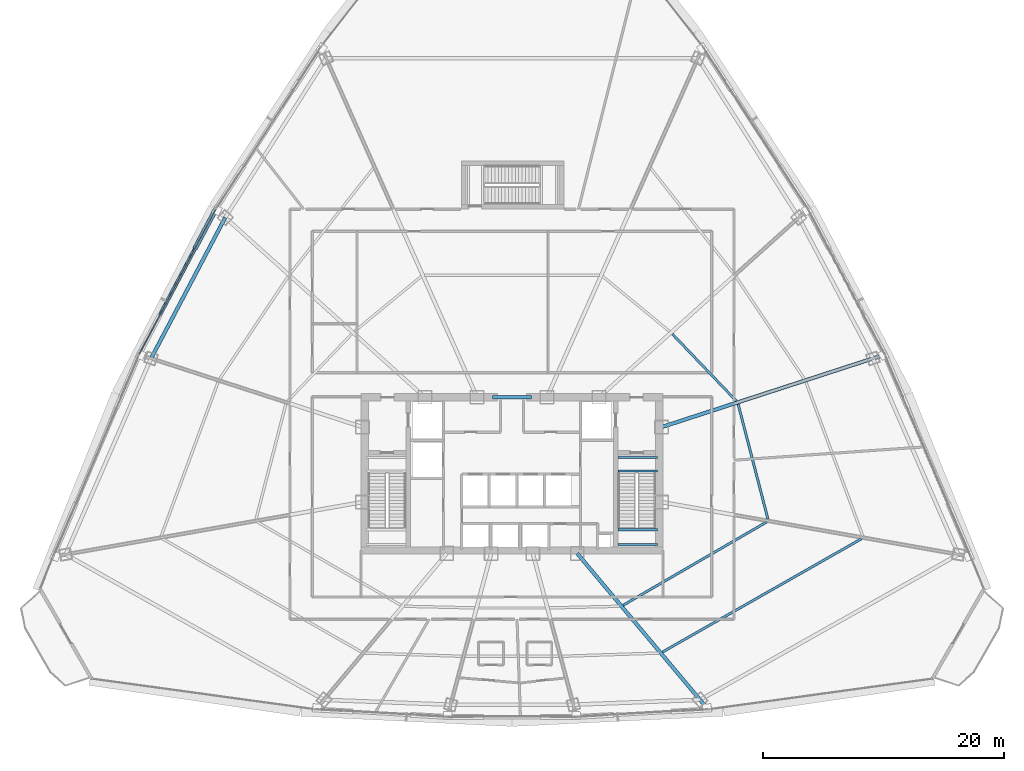
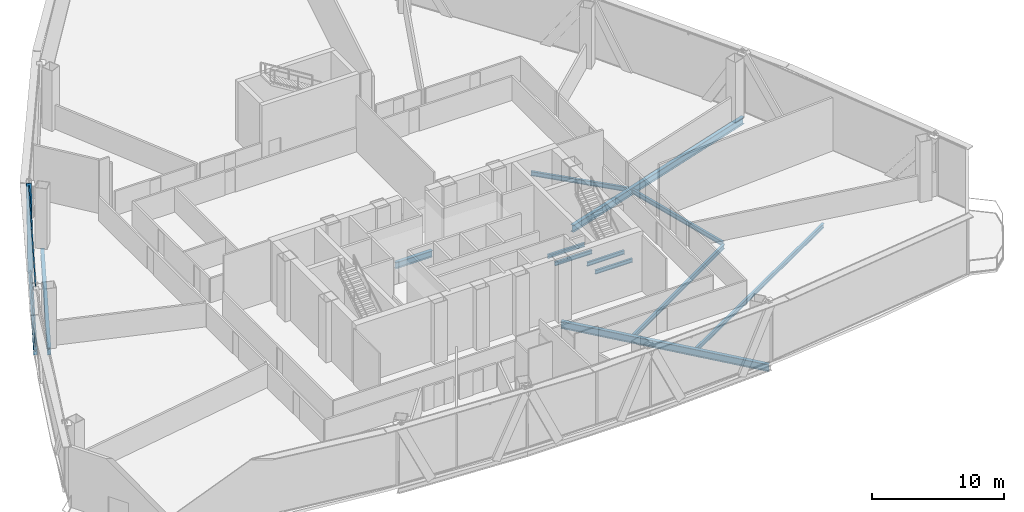
# One storey, part 15 of 40: 13 beams, 3 members, 1 element without a shape of its own.
"""IFC4 building model written with IfcOpenShell, lengths in metres."""

from ifc_helpers import new_model, si_unit, direction, frame, origin, origin_2d, place, context, subcontext, project, spatial, hollow_rectangle, i_section, extrude, source, transform, mapped, material, layer, layer_set, material_profile, profile_set, type_object, element, aggregate, save


model = new_model("IFC4")

# Units and contexts
model_context = context("Model", 3, precision=1e-05, world=origin(), true_north=direction((0.0, 1.0)))
body_context = subcontext(model_context, "Body", "Model", "MODEL_VIEW")
ifc_project = project(units=[si_unit("LENGTHUNIT", "METRE"), si_unit("AREAUNIT", "SQUARE_METRE"), si_unit("VOLUMEUNIT", "CUBIC_METRE"), si_unit("PLANEANGLEUNIT", "RADIAN"), si_unit("MASSUNIT", "GRAM", prefix="KILO"), si_unit("THERMODYNAMICTEMPERATUREUNIT", "KELVIN"), si_unit("POWERUNIT", "WATT")], contexts=[model_context])

# Site, building, storey
site_placement = place(None, origin())
site = spatial("IfcSite", under=ifc_project, at=site_placement, CompositionType="ELEMENT")
building_placement = place(site_placement, origin())
building = spatial("IfcBuilding", under=site, at=building_placement, Name="Yunzhuo Pagoda Commons", CompositionType="ELEMENT")
storey_placement = place(building_placement, frame((0.0, 0.0, 170.31005859375)))
storey = spatial("IfcBuildingStorey", under=building, at=storey_placement, Name="L43", CompositionType="ELEMENT", Elevation=170.31005859375)

# Beams
ifc_material_1 = material(Name="Structural steel Q355B", Category="steel")
ifc_material_profile_1 = material_profile(ifc_material_1, i_section(OverallWidth=0.175048828125, OverallDepth=0.35009765625, WebThickness=0.007080078125, FlangeThickness=0.010986328125, at=origin_2d()), Name="Structural steel Q355B")
ifc_profile_set_1 = profile_set([ifc_material_profile_1], Name="Structural steel Q355B")
beam_type_1 = type_object("IfcBeamType", Name="B-JS2 Joist HN 350x175x7x11", PredefinedType="JOIST", material=ifc_profile_set_1)
shared_shape_1 = source(origin(), body_context, "Body", "SweptSolid", [
    extrude(i_section(OverallWidth=0.175048828125, OverallDepth=0.35009765625, WebThickness=0.007080078125, FlangeThickness=0.010986328125, at=origin_2d()), origin(), (0.0, 0.0, 1.0), 3.25),
])
for number, where, z_axis, x_axis, name in (
    (1, (56.800048828125, 28.0, 2.550048828125), (1.0, 0.0, 0.0), (0.0, 1.0, 0.0), "L43 ST2 landing support beam 49A"),
    (2, (56.800048828125, 29.219970703125, 2.550048828125), (1.0, 0.0, 0.0), (0.0, 1.0, 0.0), "L43 ST2 landing support beam 49B"),
    (3, (56.800048828125, 34.10009765625, -0.375), (1.0, 0.0, 0.0), (0.0, 1.0, 0.0), "L43 ST2 landing support beam 147A"),
    (4, (56.800048828125, 35.199951171875, -0.375), (1.0, 0.0, 0.0), (0.0, 1.0, 0.0), "L43 ST2 landing support beam 147B"),
):
    element("IfcBeam", number, at=place(storey_placement, frame(where, z_axis=z_axis, x_axis=x_axis)), inside=storey, type_object=beam_type_1, Name=name, PredefinedType="JOIST", context=body_context, shape_type="MappedRepresentation", body=[
        mapped(shared_shape_1, transform((0.0, 0.0, 0.0), scale=1.0)),
    ])
ifc_material_2 = material(Name="Structural steel Q420B", Category="steel")
ifc_material_profile_2 = material_profile(ifc_material_2, i_section(OverallWidth=0.300048828125, OverallDepth=0.587890625, WebThickness=0.011962890625, FlangeThickness=0.02001953125, at=origin_2d()), Name="Structural steel Q420B")
ifc_profile_set_2 = profile_set([ifc_material_profile_2], Name="Structural steel Q420B")
beam_type_2 = type_object("IfcBeamType", Name="B-CPL Beam HM 588x300x12x20", PredefinedType="BEAM", material=ifc_profile_set_2)
shared_shape_2 = source(origin(), body_context, "Body", "SweptSolid", [
    extrude(i_section(OverallWidth=0.300048828125, OverallDepth=0.587890625, WebThickness=0.011962890625, FlangeThickness=0.02001953125, at=origin_2d()), origin(), (0.0, 0.0, 1.0), 3.2001953125),
])
beam_1_placement = place(storey_placement, frame((46.39990234375, 40.199951171875, -0.5537109375), z_axis=(1.0, 0.0, 0.0), x_axis=(0.0, 1.0, 0.0)))
element("IfcBeam", 5, at=beam_1_placement, inside=storey, type_object=beam_type_2, Name="L43 core coupling girder", PredefinedType="BEAM", context=body_context, shape_type="MappedRepresentation", body=[
    mapped(shared_shape_2, transform((0.0, 0.0, 0.0), scale=1.0)),
])
ifc_material_profile_3 = material_profile(ifc_material_1, i_section(OverallWidth=0.199951171875, OverallDepth=0.39990234375, WebThickness=0.008056640625, FlangeThickness=0.012939453125, at=origin_2d()), Name="Structural steel Q355B")
ifc_profile_set_3 = profile_set([ifc_material_profile_3], Name="Structural steel Q355B")
beam_type_3 = type_object("IfcBeamType", Name="B-JS1 Joist HN 400x200x8x13", PredefinedType="JOIST", material=ifc_profile_set_3)
shared_shape_3 = source(origin(), body_context, "Body", "SweptSolid", [
    extrude(i_section(OverallWidth=0.199951171875, OverallDepth=0.39990234375, WebThickness=0.008056640625, FlangeThickness=0.012939453125, at=origin_2d()), origin(), (0.0, 0.0, 1.0), 13.76416015625),
])
beam_2_placement = place(storey_placement, frame((57.2119140625, 22.96533203125, -0.4599609375), z_axis=(0.864967288101, 0.501828248025, 0.0), x_axis=(-0.501828248025, 0.864967288101, 0.0)))
element("IfcBeam", 6, at=beam_2_placement, inside=storey, type_object=beam_type_3, Name="L43 composite ring joist 1.4", PredefinedType="JOIST", context=body_context, shape_type="MappedRepresentation", body=[
    mapped(shared_shape_3, transform((0.0, 0.0, 0.0), scale=1.0)),
])
shared_shape_4 = source(origin(), body_context, "Body", "SweptSolid", [
    extrude(i_section(OverallWidth=0.199951171875, OverallDepth=0.39990234375, WebThickness=0.008056640625, FlangeThickness=0.012939453125, at=origin_2d()), origin(), (0.0, 0.0, 1.0), 19.007568359375),
])
beam_3_placement = place(storey_placement, frame((60.468017578125, 19.08447265625, -0.4599609375), z_axis=(0.869119947472, 0.494601371718, 0.0), x_axis=(-0.494601371718, 0.869119947472, 0.0)))
element("IfcBeam", 7, at=beam_3_placement, inside=storey, type_object=beam_type_3, Name="L43 composite ring joist 2.4", PredefinedType="JOIST", context=body_context, shape_type="MappedRepresentation", body=[
    mapped(shared_shape_4, transform((0.0, 0.0, 0.0), scale=1.0)),
])
shared_shape_5 = source(origin(), body_context, "Body", "SweptSolid", [
    extrude(i_section(OverallWidth=0.199951171875, OverallDepth=0.39990234375, WebThickness=0.008056640625, FlangeThickness=0.012939453125, at=origin_2d()), origin(), (0.0, 0.0, 1.0), 9.8330078125),
])
beam_4_placement = place(storey_placement, frame((69.215087890625, 30.10595703125, -0.4599609375), z_axis=(-0.251166367041, 0.967943932295, 0.0), x_axis=(-0.967943932295, -0.251166367041, 0.0)))
element("IfcBeam", 8, at=beam_4_placement, inside=storey, type_object=beam_type_3, Name="L43 composite ring joist 1.5", PredefinedType="JOIST", context=body_context, shape_type="MappedRepresentation", body=[
    mapped(shared_shape_5, transform((0.0, 0.0, 0.0), scale=1.0)),
])
ifc_material_profile_4 = material_profile(ifc_material_1, i_section(OverallWidth=0.300048828125, OverallDepth=0.64990234375, WebThickness=0.012939453125, FlangeThickness=0.02197265625, at=origin_2d()), Name="Structural steel Q355B")
ifc_profile_set_4 = profile_set([ifc_material_profile_4], Name="Structural steel Q355B")
beam_type_4 = type_object("IfcBeamType", Name="B-RG2 Beam HN 650x300x13x22", PredefinedType="BEAM", material=ifc_profile_set_4)
shared_shape_6 = source(origin(), body_context, "Body", "SweptSolid", [
    extrude(i_section(OverallWidth=0.300048828125, OverallDepth=0.64990234375, WebThickness=0.012939453125, FlangeThickness=0.02197265625, at=origin_2d()), origin(), (0.0, 0.0, 1.0), 13.198974609375),
])
beam_5_placement = place(storey_placement, frame((24.23388671875, 55.09912109375, -0.5849609375), z_axis=(-0.465885937554, -0.884844784801, 0.0), x_axis=(0.884844784801, -0.465885937554, 0.0)))
element("IfcBeam", 9, at=beam_5_placement, inside=storey, type_object=beam_type_4, Name="L43 column-ring beam 10", PredefinedType="BEAM", context=body_context, shape_type="MappedRepresentation", body=[
    mapped(shared_shape_6, transform((0.0, 0.0, 0.0), scale=1.0)),
])
shared_shape_7 = source(origin(), body_context, "Body", "SweptSolid", [
    extrude(i_section(OverallWidth=0.199951171875, OverallDepth=0.39990234375, WebThickness=0.008056640625, FlangeThickness=0.012939453125, at=origin_2d()), origin(), (0.0, 0.0, 1.0), 7.685546875),
])
beam_6_placement = place(storey_placement, frame((66.595703125, 39.892578125, -0.4599609375), z_axis=(-0.690882862648, 0.722966714378, 0.0), x_axis=(-0.722966714378, -0.690882862648, 0.0)))
element("IfcBeam", 10, at=beam_6_placement, inside=storey, type_object=beam_type_3, Name="L43 composite ring joist 1.6", PredefinedType="JOIST", context=body_context, shape_type="MappedRepresentation", body=[
    mapped(shared_shape_7, transform((0.0, 0.0, 0.0), scale=1.0)),
])
shared_shape_8 = source(origin(), body_context, "Body", "SweptSolid", [
    extrude(i_section(OverallWidth=0.300048828125, OverallDepth=0.64990234375, WebThickness=0.012939453125, FlangeThickness=0.02197265625, at=origin_2d()), origin(), (0.0, 0.0, 1.0), 16.721435546875),
])
beam_7_placement = place(storey_placement, frame((64.160400390625, 14.440673828125, -0.5849609375), z_axis=(-0.642787263979, 0.766044733202, 0.0), x_axis=(-0.766044733202, -0.642787263979, 0.0)))
element("IfcBeam", 11, at=beam_7_placement, inside=storey, type_object=beam_type_4, Name="L43 radial floor girder F1C4", PredefinedType="BEAM", context=body_context, shape_type="MappedRepresentation", body=[
    mapped(shared_shape_8, transform((0.0, 0.0, 0.0), scale=1.0)),
])
shared_shape_9 = source(origin(), body_context, "Body", "SweptSolid", [
    extrude(i_section(OverallWidth=0.300048828125, OverallDepth=0.64990234375, WebThickness=0.012939453125, FlangeThickness=0.02197265625, at=origin_2d()), origin(), (0.0, 0.0, 1.0), 19.31201171875),
])
beam_8_placement = place(storey_placement, frame((78.7666015625, 43.69677734375, -0.5849609375), z_axis=(-0.951055434175, -0.309020324777, 0.0), x_axis=(0.309020324777, -0.951055434175, 0.0)))
element("IfcBeam", 12, at=beam_8_placement, inside=storey, type_object=beam_type_4, Name="L43 radial floor girder F2C2", PredefinedType="BEAM", context=body_context, shape_type="MappedRepresentation", body=[
    mapped(shared_shape_9, transform((0.0, 0.0, 0.0), scale=1.0)),
])
ifc_material_profile_5 = material_profile(ifc_material_1, i_section(OverallWidth=0.300048828125, OverallDepth=0.488037109375, WebThickness=0.010986328125, FlangeThickness=0.01806640625, at=origin_2d()), Name="Structural steel Q355B")
ifc_profile_set_5 = profile_set([ifc_material_profile_5], Name="Structural steel Q355B")
beam_type_5 = type_object("IfcBeamType", Name="B-SP1 Beam HM 488x300x11x18", PredefinedType="BEAM", material=ifc_profile_set_5)
shared_shape_10 = source(origin(), body_context, "Body", "SweptSolid", [
    extrude(i_section(OverallWidth=0.300048828125, OverallDepth=0.488037109375, WebThickness=0.010986328125, FlangeThickness=0.01806640625, at=origin_2d()), origin(), (0.0, 0.0, 1.0), 13.63525390625),
])
beam_9_placement = place(storey_placement, frame((23.45361328125, 55.8017578125, -0.504150390625), z_axis=(-0.466985007002, -0.884265233533, 0.0), x_axis=(0.884265233533, -0.466985007002, 0.0)))
element("IfcBeam", 13, at=beam_9_placement, inside=storey, type_object=beam_type_5, Name="L43 facade edge spandrel beam F3.2", PredefinedType="BEAM", context=body_context, shape_type="MappedRepresentation", body=[
    mapped(shared_shape_10, transform((0.0, 0.0, 0.0), scale=1.0)),
])

# Member
ifc_material_profile_6 = material_profile(ifc_material_1, hollow_rectangle(XDim=0.39990234375, YDim=0.719970703125, WallThickness=0.02392578125, at=origin_2d()), Name="Structural steel Q355B")
ifc_profile_set_6 = profile_set([ifc_material_profile_6], Name="Structural steel Q355B")
member_type_1 = type_object("IfcMemberType", Name="M-DL2 Brace BOX 720x400x24", PredefinedType="BRACE", material=ifc_profile_set_6)
shared_shape_11 = source(origin(), body_context, "Body", "SweptSolid", [
    extrude(hollow_rectangle(XDim=0.39990234375, YDim=0.719970703125, WallThickness=0.02392578125, at=origin_2d()), origin(), (0.0, 0.0, 1.0), 6.753173828125),
])
member_1_placement = place(storey_placement, frame((21.86181640625, 52.78759765625, -0.260009765625), z_axis=(0.23570941369, 0.446329512487, 0.863267651764), x_axis=(-0.884264817912, 0.466985794005, 0.0)))
element("IfcMember", 14, at=member_1_placement, inside=storey, type_object=member_type_1, Name="L43 facade diamond brace F3.2L", PredefinedType="BRACE", context=body_context, shape_type="MappedRepresentation", body=[
    mapped(shared_shape_11, transform((0.0, 0.0, 0.0), scale=1.0)),
])

# Curtain wall, members
ifc_material_3 = material(Name="Anodized aluminium 6063-T6", Category="aluminium")
ifc_layer = layer(ifc_material_3, 0.14990234375)
ifc_layer_set = layer_set([ifc_layer], Name="Anodized aluminium 6063-T6")
curtain_wall_type = type_object("IfcCurtainWallType", Name="CW-MID Mid-Zone Ribbon Curtain Wall", PredefinedType="NOTDEFINED", material=ifc_layer_set)
curtain_wall_placement = place(storey_placement, origin())
curtain_wall = element("IfcCurtainWall", 15, at=curtain_wall_placement, inside=storey, type_object=curtain_wall_type, Name="L43 curtain wall CW-L43-F3B3", PredefinedType="NOTDEFINED")
ifc_material_profile_7 = material_profile(ifc_material_3, hollow_rectangle(XDim=0.054931640625, YDim=0.1298828125, WallThickness=0.00341796875, at=origin_2d()), Name="Anodized aluminium 6063-T6")
ifc_profile_set_7 = profile_set([ifc_material_profile_7], Name="Anodized aluminium 6063-T6")
member_type_2 = type_object("IfcMemberType", Name="CW-MID-T Transom RHS 130x55x3.5", PredefinedType="USERDEFINED", material=ifc_profile_set_7)
shared_shape_12 = source(origin(), body_context, "Body", "SweptSolid", [
    extrude(hollow_rectangle(XDim=0.054931640625, YDim=0.1298828125, WallThickness=0.00341796875, at=origin_2d()), origin(), (0.0, 0.0, 1.0), 13.51513671875),
])
member_2_placement = place(storey_placement, frame((23.425537109375, 55.74853515625, 0.02734375), z_axis=(-0.466995257816, -0.88425981995, 0.0), x_axis=(0.88425981995, -0.466995257816, 0.0)))
member_2 = element("IfcMember", 16, at=member_2_placement, type_object=member_type_2, Name="CW transom 1.1", ObjectType="TRANSOM", PredefinedType="USERDEFINED", context=body_context, shape_type="MappedRepresentation", body=[
    mapped(shared_shape_12, transform((0.0, 0.0, 0.0), scale=1.0)),
])
member_3_placement = place(storey_placement, frame((23.425537109375, 55.74853515625, 5.54248046875), z_axis=(-0.466995257816, -0.88425981995, 0.0), x_axis=(0.88425981995, -0.466995257816, 0.0)))
member_3 = element("IfcMember", 17, at=member_3_placement, type_object=member_type_2, Name="CW transom 1.2", ObjectType="TRANSOM", PredefinedType="USERDEFINED", context=body_context, shape_type="MappedRepresentation", body=[
    mapped(shared_shape_12, transform((0.0, 0.0, 0.0), scale=1.0)),
])
aggregate(curtain_wall, [member_2, member_3])

save(model, "model.ifc")
